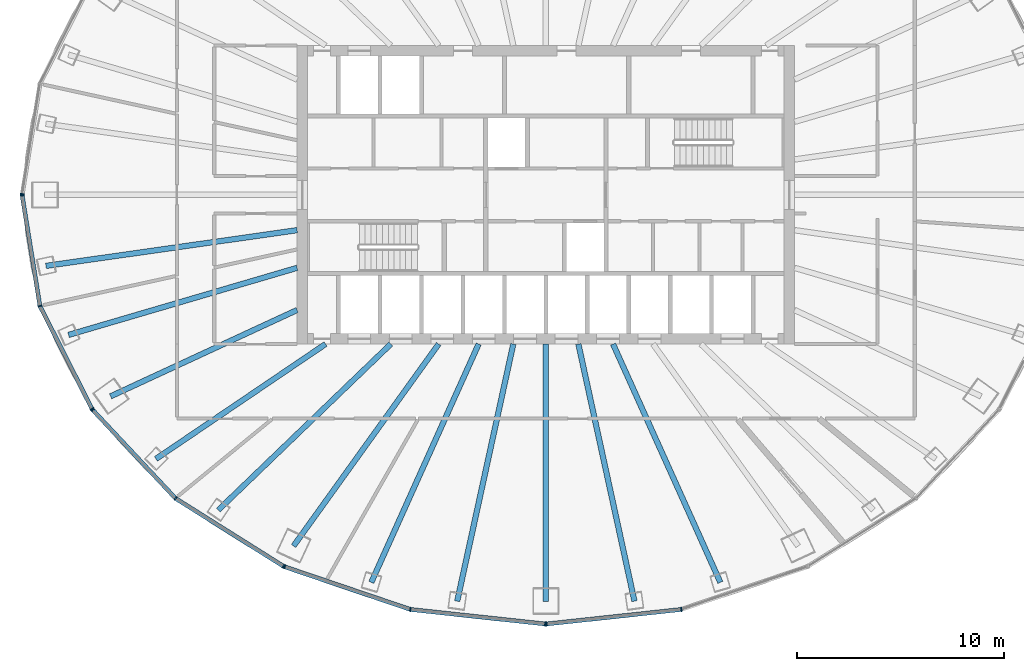
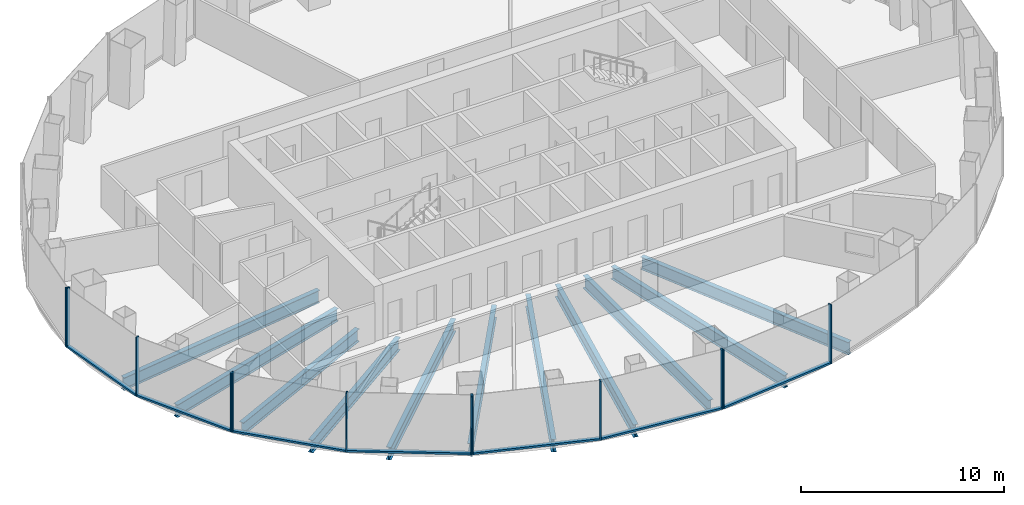
# One storey, part 2 of 11: 19 members, 11 beams, 5 elements without a shape of their own.
"""IFC4 building model written with IfcOpenShell, lengths in metres."""

from ifc_helpers import new_model, si_unit, direction, frame, origin, origin_2d, place, context, subcontext, project, spatial, rectangle, i_section, extrude, material, layer, layer_set, material_profile, profile_set, type_object, element, aggregate, save


model = new_model("IFC4")

# Units and contexts
model_context = context("Model", 3, precision=1e-05, world=origin(), true_north=direction((0.0, 1.0)))
body_context = subcontext(model_context, "Body", "Model", "MODEL_VIEW")
ifc_project = project(units=[si_unit("LENGTHUNIT", "METRE"), si_unit("AREAUNIT", "SQUARE_METRE"), si_unit("VOLUMEUNIT", "CUBIC_METRE"), si_unit("PLANEANGLEUNIT", "RADIAN"), si_unit("MASSUNIT", "GRAM", prefix="KILO")], contexts=[model_context])

# Site, building, storey
site_placement = place(None, origin())
site = spatial("IfcSite", under=ifc_project, at=site_placement, CompositionType="ELEMENT")
building_placement = place(site_placement, origin())
building = spatial("IfcBuilding", under=site, at=building_placement, Name="Siaravel Broadcast Tower", CompositionType="ELEMENT")
storey_placement = place(building_placement, frame((0.0, 0.0, 123.0)))
storey = spatial("IfcBuildingStorey", under=building, at=storey_placement, Name="L29", CompositionType="ELEMENT", Elevation=123.0)

# Beams
ifc_material_1 = material(Name="Steel S355", Category="steel")
ifc_material_profile_1 = material_profile(ifc_material_1, i_section(OverallWidth=0.26513671875, OverallDepth=0.75390625, WebThickness=0.0126953125, FlangeThickness=0.017578125, FilletRadius=0.0166015625, at=origin_2d()))
ifc_profile_set_1 = profile_set([ifc_material_profile_1], Name="Steel S355")
beam_type = type_object("IfcBeamType", Name="BM-UB 762x267x147", PredefinedType="BEAM", material=ifc_profile_set_1)
beam_1_placement = place(storey_placement, frame((-24.118896484375, -3.427978515625, -0.52685546875), z_axis=(0.99005056, 0.140712075, 0.0), x_axis=(-0.140712075, 0.99005056, 0.0)))
element("IfcBeam", 1, at=beam_1_placement, inside=storey, type_object=beam_type, Name="Radial beam RB20", PredefinedType="BEAM", context=body_context, shape_type="SweptSolid", body=[
    extrude(i_section(OverallWidth=0.26513671875, OverallDepth=0.75390625, WebThickness=0.0126953125, FlangeThickness=0.017578125, FilletRadius=0.0166015625, at=origin_2d()), origin(), (0.0, 0.0, 1.0), 12.24072265625),
])
beam_2_placement = place(storey_placement, frame((-23.029296875, -6.7587890625, -0.52685546875), z_axis=(0.959532411, 0.281598209, 0.0), x_axis=(-0.281598209, 0.959532411, 0.0)))
element("IfcBeam", 2, at=beam_2_placement, inside=storey, type_object=beam_type, Name="Radial beam RB21", PredefinedType="BEAM", context=body_context, shape_type="SweptSolid", body=[
    extrude(i_section(OverallWidth=0.26513671875, OverallDepth=0.75390625, WebThickness=0.0126953125, FlangeThickness=0.017578125, FilletRadius=0.0166015625, at=origin_2d()), origin(), (0.0, 0.0, 1.0), 11.494384765625),
])
beam_3_placement = place(storey_placement, frame((-20.99853515625, -9.721923828125, -0.52685546875), z_axis=(0.907465864, 0.420125821, 0.0), x_axis=(-0.420125821, 0.907465864, 0.0)))
element("IfcBeam", 3, at=beam_3_placement, inside=storey, type_object=beam_type, Name="Radial beam RB22", PredefinedType="BEAM", context=body_context, shape_type="SweptSolid", body=[
    extrude(i_section(OverallWidth=0.26513671875, OverallDepth=0.75390625, WebThickness=0.0126953125, FlangeThickness=0.017578125, FilletRadius=0.0166015625, at=origin_2d()), origin(), (0.0, 0.0, 1.0), 9.916015625),
])
beam_4_placement = place(storey_placement, frame((-18.810791015625, -12.740478515625, -0.52685546875), z_axis=(0.827967914, 0.560775475, 0.0), x_axis=(-0.560775475, 0.827967914, 0.0)))
element("IfcBeam", 4, at=beam_4_placement, inside=storey, type_object=beam_type, Name="Radial beam RB23", PredefinedType="BEAM", context=body_context, shape_type="SweptSolid", body=[
    extrude(i_section(OverallWidth=0.26513671875, OverallDepth=0.75390625, WebThickness=0.0126953125, FlangeThickness=0.017578125, FilletRadius=0.0166015625, at=origin_2d()), origin(), (0.0, 0.0, 1.0), 9.880126953125),
])
beam_5_placement = place(storey_placement, frame((-15.7998046875, -15.20654296875, -0.52685546875), z_axis=(0.720499795, 0.69345515, 0.0), x_axis=(-0.69345515, 0.720499795, 0.0)))
element("IfcBeam", 5, at=beam_5_placement, inside=storey, type_object=beam_type, Name="Radial beam RB24", PredefinedType="BEAM", context=body_context, shape_type="SweptSolid", body=[
    extrude(i_section(OverallWidth=0.26513671875, OverallDepth=0.75390625, WebThickness=0.0126953125, FlangeThickness=0.017578125, FilletRadius=0.0166015625, at=origin_2d()), origin(), (0.0, 0.0, 1.0), 11.5458984375),
])
beam_6_placement = place(storey_placement, frame((-12.17236328125, -16.942138671875, -0.52685546875), z_axis=(0.583488425, 0.812121455, 0.0), x_axis=(-0.812121455, 0.583488425, 0.0)))
element("IfcBeam", 6, at=beam_6_placement, inside=storey, type_object=beam_type, Name="Radial beam RB25", PredefinedType="BEAM", context=body_context, shape_type="SweptSolid", body=[
    extrude(i_section(OverallWidth=0.26513671875, OverallDepth=0.75390625, WebThickness=0.0126953125, FlangeThickness=0.017578125, FilletRadius=0.0166015625, at=origin_2d()), origin(), (0.0, 0.0, 1.0), 11.99609375),
])
beam_7_placement = place(storey_placement, frame((-8.41943359375, -18.69580078125, -0.52685546875), z_axis=(0.4106199, 0.911806612, 0.0), x_axis=(-0.911806612, 0.4106199, 0.0)))
element("IfcBeam", 7, at=beam_7_placement, inside=storey, type_object=beam_type, Name="Radial beam RB26", PredefinedType="BEAM", context=body_context, shape_type="SweptSolid", body=[
    extrude(i_section(OverallWidth=0.26513671875, OverallDepth=0.75390625, WebThickness=0.0126953125, FlangeThickness=0.017578125, FilletRadius=0.0166015625, at=origin_2d()), origin(), (0.0, 0.0, 1.0), 12.607666015625),
])
beam_8_placement = place(storey_placement, frame((-4.2763671875, -19.60498046875, -0.52685546875), z_axis=(0.213111343, 0.97702792, 0.0), x_axis=(-0.97702792, 0.213111343, 0.0)))
element("IfcBeam", 8, at=beam_8_placement, inside=storey, type_object=beam_type, Name="Radial beam RB27", PredefinedType="BEAM", context=body_context, shape_type="SweptSolid", body=[
    extrude(i_section(OverallWidth=0.26513671875, OverallDepth=0.75390625, WebThickness=0.0126953125, FlangeThickness=0.017578125, FilletRadius=0.0166015625, at=origin_2d()), origin(), (0.0, 0.0, 1.0), 12.69677734375),
])
beam_9_placement = place(storey_placement, frame((0.0, -19.611328125, -0.52685546875), z_axis=(0.0, 1.0, 0.0), x_axis=(-1.0, 0.0, 0.0)))
element("IfcBeam", 9, at=beam_9_placement, inside=storey, type_object=beam_type, Name="Radial beam RB28", PredefinedType="BEAM", context=body_context, shape_type="SweptSolid", body=[
    extrude(i_section(OverallWidth=0.26513671875, OverallDepth=0.75390625, WebThickness=0.0126953125, FlangeThickness=0.017578125, FilletRadius=0.0166015625, at=origin_2d()), origin(), (0.0, 0.0, 1.0), 12.411376953125),
])
beam_10_placement = place(storey_placement, frame((4.2763671875, -19.60498046875, -0.52685546875), z_axis=(-0.213111343, 0.97702792, 0.0), x_axis=(-0.97702792, -0.213111343, 0.0)))
element("IfcBeam", 10, at=beam_10_placement, inside=storey, type_object=beam_type, Name="Radial beam RB29", PredefinedType="BEAM", context=body_context, shape_type="SweptSolid", body=[
    extrude(i_section(OverallWidth=0.26513671875, OverallDepth=0.75390625, WebThickness=0.0126953125, FlangeThickness=0.017578125, FilletRadius=0.0166015625, at=origin_2d()), origin(), (0.0, 0.0, 1.0), 12.69677734375),
])
beam_11_placement = place(storey_placement, frame((8.41943359375, -18.69580078125, -0.52685546875), z_axis=(-0.4106199, 0.911806612, 0.0), x_axis=(-0.911806612, -0.4106199, 0.0)))
element("IfcBeam", 11, at=beam_11_placement, inside=storey, type_object=beam_type, Name="Radial beam RB30", PredefinedType="BEAM", context=body_context, shape_type="SweptSolid", body=[
    extrude(i_section(OverallWidth=0.26513671875, OverallDepth=0.75390625, WebThickness=0.0126953125, FlangeThickness=0.017578125, FilletRadius=0.0166015625, at=origin_2d()), origin(), (0.0, 0.0, 1.0), 12.607666015625),
])

# Curtain wall, member
ifc_material_2 = material(Name="Aluminium 6063-T6", Category="aluminium")
ifc_layer = layer(ifc_material_2, 0.199951171875)
ifc_layer_set = layer_set([ifc_layer], Name="Aluminium 6063-T6")
curtain_wall_type = type_object("IfcCurtainWallType", Name="Unitised curtain wall, zone 2", PredefinedType="NOTDEFINED", material=ifc_layer_set)
curtain_wall_1_placement = place(storey_placement, origin())
curtain_wall_1 = element("IfcCurtainWall", 12, at=curtain_wall_1_placement, inside=storey, type_object=curtain_wall_type, Name="L29 Unitised curtain wall, zone 2 06", PredefinedType="NOTDEFINED")
ifc_material_profile_2 = material_profile(ifc_material_2, rectangle(XDim=0.199951171875, YDim=0.06494140625, at=origin_2d()))
ifc_profile_set_2 = profile_set([ifc_material_profile_2], Name="Aluminium 6063-T6")
member_type_1 = type_object("IfcMemberType", Name="CW-Z2 mullion", PredefinedType="MULLION", material=ifc_profile_set_2)
member_1_placement = place(storey_placement, frame((-25.265869140625, 0.031982421875, 0.0), z_axis=(0.0, 0.0, 1.0), x_axis=(0.987329163, -0.158685611, 0.0)))
member_1 = element("IfcMember", 13, at=member_1_placement, type_object=member_type_1, Name="CW-Z2 mullion 3", PredefinedType="MULLION", context=body_context, shape_type="SweptSolid", body=[
    extrude(rectangle(XDim=0.199951171875, YDim=0.06494140625, at=origin_2d()), origin(), (0.0, 0.0, 1.0), 3.550048828125),
])
aggregate(curtain_wall_1, [member_1])

# Curtain wall, members
curtain_wall_2_placement = place(storey_placement, origin())
curtain_wall_2 = element("IfcCurtainWall", 14, at=curtain_wall_2_placement, inside=storey, type_object=curtain_wall_type, Name="L29 Unitised curtain wall, zone 2 07", PredefinedType="NOTDEFINED")
member_2_placement = place(storey_placement, frame((-25.265869140625, -0.031982421875, 0.0), z_axis=(0.0, 0.0, 1.0), x_axis=(0.987329163, 0.158685611, 0.0)))
member_2 = element("IfcMember", 15, at=member_2_placement, type_object=member_type_1, Name="CW-Z2 mullion 1", PredefinedType="MULLION", context=body_context, shape_type="SweptSolid", body=[
    extrude(rectangle(XDim=0.199951171875, YDim=0.06494140625, at=origin_2d()), origin(), (0.0, 0.0, 1.0), 3.550048828125),
])
member_3_placement = place(storey_placement, frame((-24.4091796875, -5.362548828125, 0.0), z_axis=(0.0, 0.0, 1.0), x_axis=(0.951177162, 0.308645439, 0.0)))
member_3 = element("IfcMember", 16, at=member_3_placement, type_object=member_type_1, Name="CW-Z2 mullion 2", PredefinedType="MULLION", context=body_context, shape_type="SweptSolid", body=[
    extrude(rectangle(XDim=0.199951171875, YDim=0.06494140625, at=origin_2d()), origin(), (0.0, 0.0, 1.0), 3.550048828125),
])
member_4_placement = place(storey_placement, frame((-21.897705078125, -10.329345703125, 0.0), z_axis=(0.0, 0.0, 1.0), x_axis=(0.892391979, 0.451261073, 0.0)))
member_4 = element("IfcMember", 17, at=member_4_placement, type_object=member_type_1, Name="CW-Z2 mullion 3", PredefinedType="MULLION", context=body_context, shape_type="SweptSolid", body=[
    extrude(rectangle(XDim=0.199951171875, YDim=0.06494140625, at=origin_2d()), origin(), (0.0, 0.0, 1.0), 3.550048828125),
])

curtain_wall_3_placement = place(storey_placement, origin())
curtain_wall_3 = element("IfcCurtainWall", 18, at=curtain_wall_3_placement, inside=storey, type_object=curtain_wall_type, Name="L29 Unitised curtain wall, zone 2 08", PredefinedType="NOTDEFINED")
member_5_placement = place(storey_placement, frame((-21.86083984375, -10.382080078125, 0.0), z_axis=(0.0, 0.0, 1.0), x_axis=(0.729805105, 0.683655256, 0.0)))
member_5 = element("IfcMember", 19, at=member_5_placement, type_object=member_type_1, Name="CW-Z2 mullion 1", PredefinedType="MULLION", context=body_context, shape_type="SweptSolid", body=[
    extrude(rectangle(XDim=0.199951171875, YDim=0.06494140625, at=origin_2d()), origin(), (0.0, 0.0, 1.0), 3.550048828125),
])
member_6_placement = place(storey_placement, frame((-17.86572265625, -14.646728515625, 0.0), z_axis=(0.0, 0.0, 1.0), x_axis=(0.636218518, 0.771508909, 0.0)))
member_6 = element("IfcMember", 20, at=member_6_placement, type_object=member_type_1, Name="CW-Z2 mullion 2", PredefinedType="MULLION", context=body_context, shape_type="SweptSolid", body=[
    extrude(rectangle(XDim=0.199951171875, YDim=0.06494140625, at=origin_2d()), origin(), (0.0, 0.0, 1.0), 3.550048828125),
])
member_7_placement = place(storey_placement, frame((-12.659423828125, -17.9189453125, 0.0), z_axis=(0.0, 0.0, 1.0), x_axis=(0.532149141, 0.846650632, 0.0)))
member_7 = element("IfcMember", 21, at=member_7_placement, type_object=member_type_1, Name="CW-Z2 mullion 3", PredefinedType="MULLION", context=body_context, shape_type="SweptSolid", body=[
    extrude(rectangle(XDim=0.199951171875, YDim=0.06494140625, at=origin_2d()), origin(), (0.0, 0.0, 1.0), 3.550048828125),
])

curtain_wall_4_placement = place(storey_placement, origin())
curtain_wall_4 = element("IfcCurtainWall", 22, at=curtain_wall_4_placement, inside=storey, type_object=curtain_wall_type, Name="L29 Unitised curtain wall, zone 2 09", PredefinedType="NOTDEFINED")
member_8_placement = place(storey_placement, frame((-12.60107421875, -17.94677734375, 0.0), z_axis=(0.0, 0.0, 1.0), x_axis=(0.321300596, 0.946977258, 0.0)))
member_8 = element("IfcMember", 23, at=member_8_placement, type_object=member_type_1, Name="CW-Z2 mullion 1", PredefinedType="MULLION", context=body_context, shape_type="SweptSolid", body=[
    extrude(rectangle(XDim=0.199951171875, YDim=0.06494140625, at=origin_2d()), origin(), (0.0, 0.0, 1.0), 3.550048828125),
])
member_9_placement = place(storey_placement, frame((-6.538330078125, -20.00390625, 0.0), z_axis=(0.0, 0.0, 1.0), x_axis=(0.215558052, 0.976491027, 0.0)))
member_9 = element("IfcMember", 24, at=member_9_placement, type_object=member_type_1, Name="CW-Z2 mullion 2", PredefinedType="MULLION", context=body_context, shape_type="SweptSolid", body=[
    extrude(rectangle(XDim=0.199951171875, YDim=0.06494140625, at=origin_2d()), origin(), (0.0, 0.0, 1.0), 3.550048828125),
])
member_10_placement = place(storey_placement, frame((-0.0322265625, -20.705322265625, 0.0), z_axis=(0.0, 0.0, 1.0), x_axis=(0.107217485, 0.994235591, 0.0)))
member_10 = element("IfcMember", 25, at=member_10_placement, type_object=member_type_1, Name="CW-Z2 mullion 3", PredefinedType="MULLION", context=body_context, shape_type="SweptSolid", body=[
    extrude(rectangle(XDim=0.199951171875, YDim=0.06494140625, at=origin_2d()), origin(), (0.0, 0.0, 1.0), 3.550048828125),
])

curtain_wall_5_placement = place(storey_placement, origin())
curtain_wall_5 = element("IfcCurtainWall", 26, at=curtain_wall_5_placement, inside=storey, type_object=curtain_wall_type, Name="L29 Unitised curtain wall, zone 2 10", PredefinedType="NOTDEFINED")
member_11_placement = place(storey_placement, frame((0.0322265625, -20.705322265625, 0.0), z_axis=(0.0, 0.0, 1.0), x_axis=(-0.107217485, 0.994235591, 0.0)))
member_11 = element("IfcMember", 27, at=member_11_placement, type_object=member_type_1, Name="CW-Z2 mullion 1", PredefinedType="MULLION", context=body_context, shape_type="SweptSolid", body=[
    extrude(rectangle(XDim=0.199951171875, YDim=0.06494140625, at=origin_2d()), origin(), (0.0, 0.0, 1.0), 3.550048828125),
])
member_12_placement = place(storey_placement, frame((6.538330078125, -20.00390625, 0.0), z_axis=(0.0, 0.0, 1.0), x_axis=(-0.215558052, 0.976491027, 0.0)))
member_12 = element("IfcMember", 28, at=member_12_placement, type_object=member_type_1, Name="CW-Z2 mullion 2", PredefinedType="MULLION", context=body_context, shape_type="SweptSolid", body=[
    extrude(rectangle(XDim=0.199951171875, YDim=0.06494140625, at=origin_2d()), origin(), (0.0, 0.0, 1.0), 3.550048828125),
])

# Member
ifc_material_profile_3 = material_profile(ifc_material_2, rectangle(XDim=0.199951171875, YDim=0.110107421875, at=origin_2d()))
ifc_profile_set_3 = profile_set([ifc_material_profile_3], Name="Aluminium 6063-T6")
member_type_2 = type_object("IfcMemberType", Name="CW-Z2 transom", PredefinedType="USERDEFINED", material=ifc_profile_set_3)
member_13_placement = place(storey_placement, frame((-25.2607421875, -0.064208984375, 0.054931640625), z_axis=(0.158695625, -0.987327554, 0.0), x_axis=(0.987327554, 0.158695625, 0.0)))
member_13 = element("IfcMember", 29, at=member_13_placement, type_object=member_type_2, Name="CW-Z2 transom 1", ObjectType="TRANSOM", PredefinedType="USERDEFINED", context=body_context, shape_type="SweptSolid", body=[
    extrude(rectangle(XDim=0.199951171875, YDim=0.110107421875, at=origin_2d()), origin(), (0.0, 0.0, 1.0), 5.333740234375),
])

member_14_placement = place(storey_placement, frame((-24.39453125, -5.3916015625, 0.054931640625), z_axis=(0.451256879, -0.8923941, 0.0), x_axis=(0.8923941, 0.451256879, 0.0)))
member_14 = element("IfcMember", 30, at=member_14_placement, type_object=member_type_2, Name="CW-Z2 transom 2", ObjectType="TRANSOM", PredefinedType="USERDEFINED", context=body_context, shape_type="SweptSolid", body=[
    extrude(rectangle(XDim=0.199951171875, YDim=0.110107421875, at=origin_2d()), origin(), (0.0, 0.0, 1.0), 5.50048828125),
])

aggregate(curtain_wall_2, [member_2, member_3, member_4, member_13, member_14])

member_15_placement = place(storey_placement, frame((-21.83837890625, -10.40576171875, 0.054931640625), z_axis=(0.683640317, -0.729819099, 0.0), x_axis=(0.729819099, 0.683640317, 0.0)))
member_15 = element("IfcMember", 31, at=member_15_placement, type_object=member_type_2, Name="CW-Z2 transom 1", ObjectType="TRANSOM", PredefinedType="USERDEFINED", context=body_context, shape_type="SweptSolid", body=[
    extrude(rectangle(XDim=0.199951171875, YDim=0.110107421875, at=origin_2d()), origin(), (0.0, 0.0, 1.0), 5.778564453125),
])

member_16_placement = place(storey_placement, frame((-17.838134765625, -14.6640625, 0.054931640625), z_axis=(0.846658761, -0.532136207, 0.0), x_axis=(0.532136207, 0.846658761, 0.0)))
member_16 = element("IfcMember", 32, at=member_16_placement, type_object=member_type_2, Name="CW-Z2 transom 2", ObjectType="TRANSOM", PredefinedType="USERDEFINED", context=body_context, shape_type="SweptSolid", body=[
    extrude(rectangle(XDim=0.199951171875, YDim=0.110107421875, at=origin_2d()), origin(), (0.0, 0.0, 1.0), 6.083984375),
])

aggregate(curtain_wall_3, [member_5, member_6, member_7, member_15, member_16])

member_17_placement = place(storey_placement, frame((-12.5703125, -17.957275390625, 0.054931640625), z_axis=(0.946978491, -0.321296962, 0.0), x_axis=(0.321296962, 0.946978491, 0.0)))
member_17 = element("IfcMember", 33, at=member_17_placement, type_object=member_type_2, Name="CW-Z2 transom 1", ObjectType="TRANSOM", PredefinedType="USERDEFINED", context=body_context, shape_type="SweptSolid", body=[
    extrude(rectangle(XDim=0.199951171875, YDim=0.110107421875, at=origin_2d()), origin(), (0.0, 0.0, 1.0), 6.337158203125),
])

member_18_placement = place(storey_placement, frame((-6.506103515625, -20.00732421875, 0.054931640625), z_axis=(0.994236504, -0.107209023, 0.0), x_axis=(0.107209023, 0.994236504, 0.0)))
member_18 = element("IfcMember", 34, at=member_18_placement, type_object=member_type_2, Name="CW-Z2 transom 2", ObjectType="TRANSOM", PredefinedType="USERDEFINED", context=body_context, shape_type="SweptSolid", body=[
    extrude(rectangle(XDim=0.199951171875, YDim=0.110107421875, at=origin_2d()), origin(), (0.0, 0.0, 1.0), 6.478759765625),
])

aggregate(curtain_wall_4, [member_8, member_9, member_10, member_17, member_18])

member_19_placement = place(storey_placement, frame((0.064697265625, -20.701904296875, 0.054931640625), z_axis=(0.994236504, 0.107209023, 0.0), x_axis=(-0.107209023, 0.994236504, 0.0)))
member_19 = element("IfcMember", 35, at=member_19_placement, type_object=member_type_2, Name="CW-Z2 transom 1", ObjectType="TRANSOM", PredefinedType="USERDEFINED", context=body_context, shape_type="SweptSolid", body=[
    extrude(rectangle(XDim=0.199951171875, YDim=0.110107421875, at=origin_2d()), origin(), (0.0, 0.0, 1.0), 6.478759765625),
])

aggregate(curtain_wall_5, [member_11, member_12, member_19])

save(model, "model.ifc")
